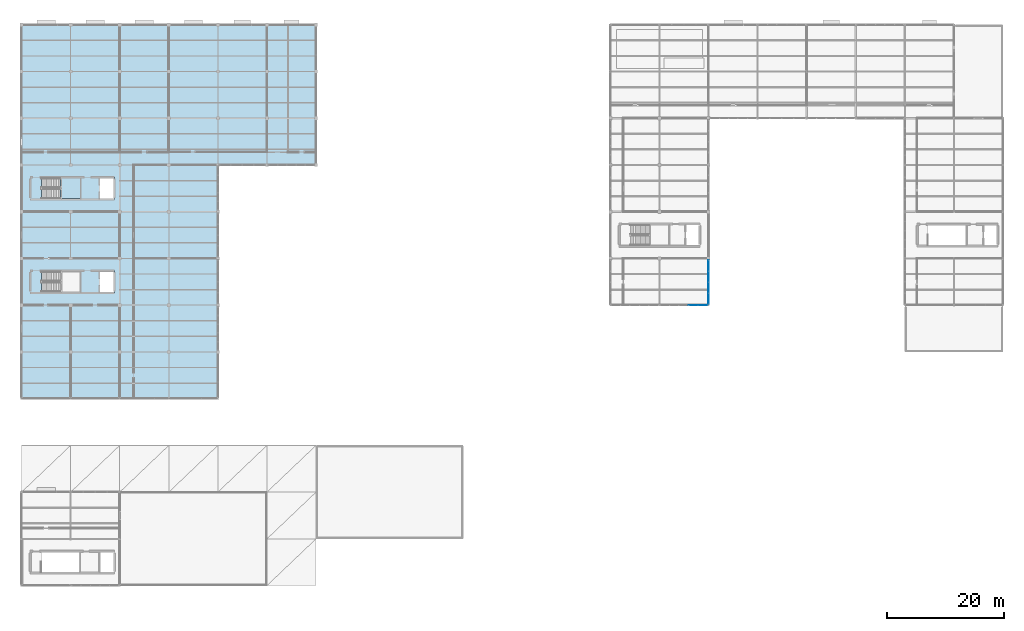
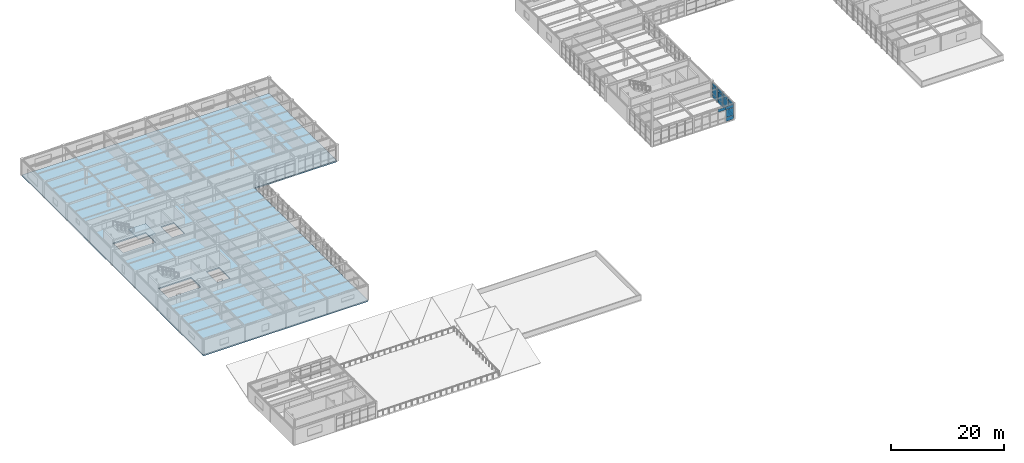
# One storey, part 35 of 53: 16 plates, 2 slabs, 3 elements without a shape of their own.
"""IFC4 building model written with IfcOpenShell, lengths in metres."""

import ifcopenshell
import ifcopenshell.guid

model = None  # the IFC model being written
_history = None  # IfcOwnerHistory: only IFC2X3 demands one
_inside = {}  # id of a spatial element -> (the spatial element, [elements in it])
_under = {}  # id of a project, library or spatial element -> (it, [spatial elements below it])
_declared = {}  # id of a project -> (the project, [libraries it declares])
_typed = {}  # id of a type object -> (the type object, [elements of that type])
_made_of = {}  # id of a material, layer set ... -> (it, [elements and type objects made of it])


def new_model(schema):
    """Start an empty IFC model of exactly this schema.

    Asked for "IFC4X3", IfcOpenShell would pick the latest addendum, in which some entities
    have other attributes; the version numbers below select the first issue.
    IFC2X3 requires an IfcOwnerHistory on every rooted entity: one is made here for all.
    """
    global model, _history
    if schema == "IFC4X3":
        model = ifcopenshell.file(schema_version=(4, 3, 0, 0))
    else:
        model = ifcopenshell.file(schema=schema)
    _inside.clear()
    _under.clear()
    _declared.clear()
    _typed.clear()
    _made_of.clear()
    _history = None
    if model.schema == "IFC2X3":
        org = make("IfcOrganization", Name="unknown")
        user = make(
            "IfcPersonAndOrganization",
            ThePerson=make("IfcPerson", FamilyName="unknown"),
            TheOrganization=org,
        )
        app = make(
            "IfcApplication",
            ApplicationDeveloper=org,
            Version="unknown",
            ApplicationFullName="unknown",
            ApplicationIdentifier="unknown",
        )
        _history = make(
            "IfcOwnerHistory",
            OwningUser=user,
            OwningApplication=app,
            ChangeAction="ADDED",
            CreationDate=0,
        )
    return model


def make(cls, **values):
    """One entity of the class cls with the attributes given. An attribute that is None is left unset."""
    return model.create_entity(
        cls, **{name: value for name, value in values.items() if value is not None}
    )


def rooted(cls, **values):
    """An entity with a GlobalId (a new one), such as an element, a storey or a relation."""
    return make(cls, GlobalId=ifcopenshell.guid.new(), OwnerHistory=_history, **values)


def si_unit(unit_type, name, prefix=None):
    """IfcSIUnit, for example si_unit("LENGTHUNIT", "METRE", prefix="MILLI")."""
    return make("IfcSIUnit", UnitType=unit_type, Prefix=prefix, Name=name)


def assignment(units):
    """IfcUnitAssignment: the units of a project."""
    return None if units is None else make("IfcUnitAssignment", Units=units)


def point(xyz):
    """IfcCartesianPoint."""
    return None if xyz is None else make("IfcCartesianPoint", Coordinates=xyz)


def direction(xyz):
    """IfcDirection."""
    return None if xyz is None else make("IfcDirection", DirectionRatios=xyz)


def frame(location, z_axis=None, x_axis=None):
    """IfcAxis2Placement3D, a coordinate frame: its origin and axes. An axis left out is left unset."""
    return make(
        "IfcAxis2Placement3D",
        Location=point(location),
        Axis=direction(z_axis),
        RefDirection=direction(x_axis),
    )


def frame_2d(location, x_axis=None):
    """IfcAxis2Placement2D, a coordinate frame in the plane: its origin and x axis."""
    return make(
        "IfcAxis2Placement2D", Location=point(location), RefDirection=direction(x_axis)
    )


def origin():
    """The frame at (0, 0, 0) with its axes left unset."""
    return frame((0.0, 0.0, 0.0))


def origin_2d():
    """The frame at (0, 0) in the plane with its x axis left unset."""
    return frame_2d((0.0, 0.0))


def place(relative_to, where):
    """IfcLocalPlacement: puts the frame where relative to a parent placement (None: the world)."""
    return make(
        "IfcLocalPlacement", PlacementRelTo=relative_to, RelativePlacement=where
    )


def context(
    kind, dimensions, precision=None, world=None, true_north=None, identifier=None
):
    """IfcGeometricRepresentationContext, for example the 3D "Model" context."""
    return make(
        "IfcGeometricRepresentationContext",
        ContextIdentifier=identifier,
        ContextType=kind,
        CoordinateSpaceDimension=dimensions,
        Precision=precision,
        WorldCoordinateSystem=world,
        TrueNorth=true_north,
    )


def subcontext(parent, identifier, kind, view, scale=None):
    """IfcGeometricRepresentationSubContext, for example "Body" below "Model"."""
    return make(
        "IfcGeometricRepresentationSubContext",
        ContextIdentifier=identifier,
        ContextType=kind,
        ParentContext=parent,
        TargetScale=scale,
        TargetView=view,
    )


def project(units=None, contexts=None):
    """IfcProject with its units and contexts."""
    return rooted(
        "IfcProject",
        Name="project",
        RepresentationContexts=contexts,
        UnitsInContext=assignment(units),
    )


def spatial(cls, under=None, at=None, **own):
    """A site, building, storey or space (cls), placed at a placement, below another one or the project."""
    s = rooted(cls, ObjectPlacement=at, **own)
    if under is not None:
        _under.setdefault(under.id(), (under, []))[1].append(s)
    return s


def polyline(points):
    """IfcPolyline through the points."""
    return make("IfcPolyline", Points=[point(p) for p in points])


def profile(cls, at=None, kind="AREA", **sizes):
    """A parametric profile (cls). Its sizes go by their IFC names, for example OverallWidth=200.0."""
    return make(cls, ProfileType=kind, Position=at, **sizes)


def rectangle(**sizes):
    """IfcRectangleProfileDef."""
    return profile("IfcRectangleProfileDef", **sizes)


def outline(outer, holes=None, kind="AREA"):
    """IfcArbitraryClosedProfileDef: a profile drawn as a closed curve; with holes, ...WithVoids."""
    if holes is None:
        return make("IfcArbitraryClosedProfileDef", ProfileType=kind, OuterCurve=outer)
    return make(
        "IfcArbitraryProfileDefWithVoids",
        ProfileType=kind,
        OuterCurve=outer,
        InnerCurves=holes,
    )


def extrude(swept, where, along, depth):
    """IfcExtrudedAreaSolid: the profile swept, set in the frame where, extruded along a direction by depth."""
    return make(
        "IfcExtrudedAreaSolid",
        SweptArea=swept,
        Position=where,
        ExtrudedDirection=direction(along),
        Depth=depth,
    )


def shape(context_of_items, identifier, shape_type, items):
    """IfcShapeRepresentation: the items that make up one representation, for example the "Body"."""
    return make(
        "IfcShapeRepresentation",
        ContextOfItems=context_of_items,
        RepresentationIdentifier=identifier,
        RepresentationType=shape_type,
        Items=items,
    )


def material(Name=None, Category=None):
    """IfcMaterial."""
    return make("IfcMaterial", Name=Name, Category=Category)


def layer(
    of_material, thickness, ventilated=None, Name=None, Category=None, Priority=None
):
    """IfcMaterialLayer: one layer of a wall or slab, of a material (None: an air gap)."""
    return make(
        "IfcMaterialLayer",
        Material=of_material,
        LayerThickness=thickness,
        IsVentilated=ventilated,
        Name=Name,
        Category=Category,
        Priority=Priority,
    )


def layer_set(layers, Name=None):
    """IfcMaterialLayerSet."""
    return make("IfcMaterialLayerSet", MaterialLayers=layers, LayerSetName=Name)


def made_of(thing, what):
    """Note that an element or type object is made of a material, layer set ...; save() writes the relation."""
    if what is not None:
        _made_of.setdefault(what.id(), (what, []))[1].append(thing)
    return thing


def type_object(cls, material=None, **own):
    """A type object (cls), such as IfcWallType, which elements share."""
    return made_of(rooted(cls, **own), material)


def element(
    cls,
    number,
    at=None,
    inside=None,
    cuts=None,
    type_object=None,
    material=None,
    context=None,
    identifier="Body",
    shape_type=None,
    held_by="IfcProductDefinitionShape",
    body=None,
    shapes=None,
    **own,
):
    """One element of the class cls, such as IfcWall. Its Tag is "e" and its number.

    at: its placement. inside: the storey or other place that contains it. cuts: it is an
    opening in that element (IfcRelVoidsElement). A single representation is given by context,
    identifier, shape_type and body (its items); several are given by shapes. held_by: the class
    of the entity that holds the representations. save() writes the other relations.
    """
    e = rooted(cls, Tag="e%d" % number, ObjectPlacement=at, **own)
    if body is not None:
        shapes = [shape(context, identifier, shape_type, body)]
    if shapes is not None:
        e.Representation = make(held_by, Representations=shapes)
    if inside is not None:
        _inside.setdefault(inside.id(), (inside, []))[1].append(e)
    if cuts is not None:
        rooted(
            "IfcRelVoidsElement", RelatingBuildingElement=cuts, RelatedOpeningElement=e
        )
    if type_object is not None:
        _typed.setdefault(type_object.id(), (type_object, []))[1].append(e)
    return made_of(e, material)


def aggregate(whole, parts):
    """IfcRelAggregates: a whole, such as a stair, and the parts it consists of."""
    return rooted("IfcRelAggregates", RelatingObject=whole, RelatedObjects=parts)


def save(model, path):
    """Write the relations noted so far, then the file.

    IfcRelAggregates (storeys below a building ...), IfcRelContainedInSpatialStructure (elements
    in a storey), IfcRelDefinesByType, IfcRelAssociatesMaterial and IfcRelDeclares: one each for
    every whole, place, type object, material and project.
    """
    for whole, parts in _under.values():
        aggregate(whole, parts)
    for where, things in _inside.values():
        rooted(
            "IfcRelContainedInSpatialStructure",
            RelatedElements=things,
            RelatingStructure=where,
        )
    for kind, things in _typed.values():
        rooted("IfcRelDefinesByType", RelatedObjects=things, RelatingType=kind)
    for what, things in _made_of.values():
        rooted("IfcRelAssociatesMaterial", RelatedObjects=things, RelatingMaterial=what)
    for by, libraries in _declared.values():
        rooted("IfcRelDeclares", RelatingContext=by, RelatedDefinitions=libraries)
    model.write(path)


model = new_model("IFC4")

# Units and contexts
model_context = context("Model", 3, precision=1e-05, world=origin(), true_north=direction((0.0, 1.0)))
body_context = subcontext(model_context, "Body", "Model", "MODEL_VIEW")
ifc_project = project(units=[si_unit("LENGTHUNIT", "METRE"), si_unit("AREAUNIT", "SQUARE_METRE"), si_unit("VOLUMEUNIT", "CUBIC_METRE"), si_unit("PLANEANGLEUNIT", "RADIAN"), si_unit("MASSUNIT", "GRAM", prefix="KILO")], contexts=[model_context])

# Site, building, storey
site_placement = place(None, origin())
site = spatial("IfcSite", under=ifc_project, at=site_placement, CompositionType="ELEMENT")
building_placement = place(site_placement, origin())
building = spatial("IfcBuilding", under=site, at=building_placement, Name="Kranzveld Transit Interchange", CompositionType="ELEMENT")
storey_placement = place(building_placement, frame((0.0, 0.0, 13.360107421875)))
storey = spatial("IfcBuildingStorey", under=building, at=storey_placement, Name="L03", CompositionType="ELEMENT", Elevation=13.360107421875)

# Slab
ifc_material_1 = material(Name="Concrete C35/45", Category="concrete")
ifc_layer_1 = layer(ifc_material_1, 0.27001953125)
ifc_layer_set_1 = layer_set([ifc_layer_1], Name="Concrete C35/45")
slab_type_1 = type_object("IfcSlabType", Name="Composite Floor Slab 270 C35/45", PredefinedType="FLOOR", material=ifc_layer_set_1)
slab_1_placement = place(storey_placement, frame((0.0, 0.0, -0.27001953125)))
element("IfcSlab", 1, at=slab_1_placement, inside=storey, type_object=slab_type_1, Name="L03 Suspended Floor Slab 2", PredefinedType="FLOOR", context=body_context, shape_type="SweptSolid", body=[
    extrude(outline(polyline([(50.39990234375, 112.0), (50.39990234375, 88.0), (33.60009765625, 88.0), (33.60009765625, 48.0), (0.0, 48.0), (0.0, 112.0), (33.60009765625, 112.0), (50.39990234375, 112.0)]), holes=[polyline([(10.050048828125, 69.72998046875), (3.41796875, 69.72998046875), (3.41796875, 66.27001953125), (10.050048828125, 66.27001953125), (10.050048828125, 69.72998046875)]), polyline([(15.89990234375, 69.909912109375), (13.300048828125, 69.909912109375), (13.300048828125, 66.090087890625), (15.89990234375, 66.090087890625), (15.89990234375, 69.909912109375)]), polyline([(10.050048828125, 82.27001953125), (10.050048828125, 85.72998046875), (3.41796875, 85.72998046875), (3.41796875, 82.27001953125), (10.050048828125, 82.27001953125)]), polyline([(15.89990234375, 85.909912109375), (13.300048828125, 85.909912109375), (13.300048828125, 82.090087890625), (15.89990234375, 82.090087890625), (15.89990234375, 85.909912109375)])]), origin(), (0.0, 0.0, 1.0), 0.27001953125),
])

# Curtain wall, plates
ifc_material_2 = material(Name="Bronze-anodised thermally broken aluminium", Category="aluminium")
ifc_layer_2 = layer(ifc_material_2, 0.159912109375)
ifc_layer_set_2 = layer_set([ifc_layer_2], Name="Bronze-anodised thermally broken aluminium")
curtain_wall_type_1 = type_object("IfcCurtainWallType", Name="Bus Boarding Glazed Screen CW-3", PredefinedType="USERDEFINED", material=ifc_layer_set_2)
curtain_wall_1_placement = place(storey_placement, origin())
curtain_wall_1 = element("IfcCurtainWall", 2, at=curtain_wall_1_placement, inside=storey, type_object=curtain_wall_type_1, Name="L03 Curtain Wall 15/J-15/K", ObjectType="CURTAIN WALL", PredefinedType="USERDEFINED")
ifc_material_3 = material(Name="Solar-control double glazing", Category="glass")
ifc_layer_3 = layer(ifc_material_3, 0.031982421875)
ifc_layer_set_3 = layer_set([ifc_layer_3], Name="Solar-control double glazing")
plate_type_1 = type_object("IfcPlateType", Name="Curtain Panel Acoustic Glazing 32", PredefinedType="CURTAIN_PANEL", material=ifc_layer_set_3)
plate_1_placement = place(storey_placement, frame((117.60009765625, 65.094482421875, 0.059814453125), z_axis=(0.0, 0.0, 1.0), x_axis=(0.0, 1.0, 0.0)))
plate_1 = element("IfcPlate", 3, at=plate_1_placement, type_object=plate_type_1, Name="CW-3 panel 1.1", PredefinedType="CURTAIN_PANEL", context=body_context, shape_type="SweptSolid", body=[
    extrude(rectangle(XDim=1.808837890625, YDim=0.031982421875, at=origin_2d()), origin(), (0.0, 0.0, 1.0), 0.81005859375),
])
plate_2_placement = place(storey_placement, frame((117.60009765625, 65.094482421875, 0.929931640625), z_axis=(0.0, 0.0, 1.0), x_axis=(0.0, 1.0, 0.0)))
plate_2 = element("IfcPlate", 4, at=plate_2_placement, type_object=plate_type_1, Name="CW-3 panel 1.2", PredefinedType="CURTAIN_PANEL", context=body_context, shape_type="SweptSolid", body=[
    extrude(rectangle(XDim=1.808837890625, YDim=0.031982421875, at=origin_2d()), origin(), (0.0, 0.0, 1.0), 1.6201171875),
])
plate_3_placement = place(storey_placement, frame((117.60009765625, 65.094482421875, 2.60986328125), z_axis=(0.0, 0.0, 1.0), x_axis=(0.0, 1.0, 0.0)))
plate_3 = element("IfcPlate", 5, at=plate_3_placement, type_object=plate_type_1, Name="CW-3 panel 1.3", PredefinedType="CURTAIN_PANEL", context=body_context, shape_type="SweptSolid", body=[
    extrude(rectangle(XDim=1.808837890625, YDim=0.031982421875, at=origin_2d()), origin(), (0.0, 0.0, 1.0), 0.610107421875),
])
plate_4_placement = place(storey_placement, frame((117.60009765625, 66.978271484375, 0.059814453125), z_axis=(0.0, 0.0, 1.0), x_axis=(0.0, 1.0, 0.0)))
plate_4 = element("IfcPlate", 6, at=plate_4_placement, type_object=plate_type_1, Name="CW-3 panel 2.1", PredefinedType="CURTAIN_PANEL", context=body_context, shape_type="SweptSolid", body=[
    extrude(rectangle(XDim=1.838623046875, YDim=0.031982421875, at=origin_2d()), origin(), (0.0, 0.0, 1.0), 0.81005859375),
])
plate_5_placement = place(storey_placement, frame((117.60009765625, 66.978271484375, 0.929931640625), z_axis=(0.0, 0.0, 1.0), x_axis=(0.0, 1.0, 0.0)))
plate_5 = element("IfcPlate", 7, at=plate_5_placement, type_object=plate_type_1, Name="CW-3 panel 2.2", PredefinedType="CURTAIN_PANEL", context=body_context, shape_type="SweptSolid", body=[
    extrude(rectangle(XDim=1.838623046875, YDim=0.031982421875, at=origin_2d()), origin(), (0.0, 0.0, 1.0), 1.6201171875),
])
plate_6_placement = place(storey_placement, frame((117.60009765625, 66.978271484375, 2.60986328125), z_axis=(0.0, 0.0, 1.0), x_axis=(0.0, 1.0, 0.0)))
plate_6 = element("IfcPlate", 8, at=plate_6_placement, type_object=plate_type_1, Name="CW-3 panel 2.3", PredefinedType="CURTAIN_PANEL", context=body_context, shape_type="SweptSolid", body=[
    extrude(rectangle(XDim=1.838623046875, YDim=0.031982421875, at=origin_2d()), origin(), (0.0, 0.0, 1.0), 0.610107421875),
])
plate_7_placement = place(storey_placement, frame((117.60009765625, 68.876953125, 0.059814453125), z_axis=(0.0, 0.0, 1.0), x_axis=(0.0, 1.0, 0.0)))
plate_7 = element("IfcPlate", 9, at=plate_7_placement, type_object=plate_type_1, Name="CW-3 panel 3.1", PredefinedType="CURTAIN_PANEL", context=body_context, shape_type="SweptSolid", body=[
    extrude(rectangle(XDim=1.838623046875, YDim=0.031982421875, at=origin_2d()), origin(), (0.0, 0.0, 1.0), 0.81005859375),
])
plate_8_placement = place(storey_placement, frame((117.60009765625, 68.876953125, 0.929931640625), z_axis=(0.0, 0.0, 1.0), x_axis=(0.0, 1.0, 0.0)))
plate_8 = element("IfcPlate", 10, at=plate_8_placement, type_object=plate_type_1, Name="CW-3 panel 3.2", PredefinedType="CURTAIN_PANEL", context=body_context, shape_type="SweptSolid", body=[
    extrude(rectangle(XDim=1.838623046875, YDim=0.031982421875, at=origin_2d()), origin(), (0.0, 0.0, 1.0), 1.6201171875),
])
plate_9_placement = place(storey_placement, frame((117.60009765625, 68.876953125, 2.60986328125), z_axis=(0.0, 0.0, 1.0), x_axis=(0.0, 1.0, 0.0)))
plate_9 = element("IfcPlate", 11, at=plate_9_placement, type_object=plate_type_1, Name="CW-3 panel 3.3", PredefinedType="CURTAIN_PANEL", context=body_context, shape_type="SweptSolid", body=[
    extrude(rectangle(XDim=1.838623046875, YDim=0.031982421875, at=origin_2d()), origin(), (0.0, 0.0, 1.0), 0.610107421875),
])
plate_10_placement = place(storey_placement, frame((117.60009765625, 70.7607421875, 0.059814453125), z_axis=(0.0, 0.0, 1.0), x_axis=(0.0, 1.0, 0.0)))
plate_10 = element("IfcPlate", 12, at=plate_10_placement, type_object=plate_type_1, Name="CW-3 panel 4.1", PredefinedType="CURTAIN_PANEL", context=body_context, shape_type="SweptSolid", body=[
    extrude(rectangle(XDim=1.808837890625, YDim=0.031982421875, at=origin_2d()), origin(), (0.0, 0.0, 1.0), 0.81005859375),
])
plate_11_placement = place(storey_placement, frame((117.60009765625, 70.7607421875, 0.929931640625), z_axis=(0.0, 0.0, 1.0), x_axis=(0.0, 1.0, 0.0)))
plate_11 = element("IfcPlate", 13, at=plate_11_placement, type_object=plate_type_1, Name="CW-3 panel 4.2", PredefinedType="CURTAIN_PANEL", context=body_context, shape_type="SweptSolid", body=[
    extrude(rectangle(XDim=1.808837890625, YDim=0.031982421875, at=origin_2d()), origin(), (0.0, 0.0, 1.0), 1.6201171875),
])
plate_12_placement = place(storey_placement, frame((117.60009765625, 70.7607421875, 2.60986328125), z_axis=(0.0, 0.0, 1.0), x_axis=(0.0, 1.0, 0.0)))
plate_12 = element("IfcPlate", 14, at=plate_12_placement, type_object=plate_type_1, Name="CW-3 panel 4.3", PredefinedType="CURTAIN_PANEL", context=body_context, shape_type="SweptSolid", body=[
    extrude(rectangle(XDim=1.808837890625, YDim=0.031982421875, at=origin_2d()), origin(), (0.0, 0.0, 1.0), 0.610107421875),
])
aggregate(curtain_wall_1, [plate_1, plate_2, plate_3, plate_4, plate_5, plate_6, plate_7, plate_8, plate_9, plate_10, plate_11, plate_12])

ifc_material_4 = material(Name="Bronze-anodised thermally broken aluminium", Category="aluminium")
ifc_layer_4 = layer(ifc_material_4, 0.1650390625)
ifc_layer_set_4 = layer_set([ifc_layer_4], Name="Bronze-anodised thermally broken aluminium")
curtain_wall_type_2 = type_object("IfcCurtainWallType", Name="Sunny Court Arcade Curtain Wall CW-2", PredefinedType="USERDEFINED", material=ifc_layer_set_4)
curtain_wall_2_placement = place(storey_placement, origin())
curtain_wall_2 = element("IfcCurtainWall", 15, at=curtain_wall_2_placement, inside=storey, type_object=curtain_wall_type_2, Name="L03 Curtain Wall 14/J-15/J", ObjectType="CURTAIN WALL", PredefinedType="USERDEFINED")
ifc_material_5 = material(Name="Pretoria red-purple clinker clay face brick, 35 MPa", Category="masonry")
ifc_layer_5 = layer(ifc_material_5, 0.050048828125)
ifc_layer_set_5 = layer_set([ifc_layer_5], Name="Pretoria red-purple clinker clay face brick, 35 MPa")
plate_type_2 = type_object("IfcPlateType", Name="Curtain Spandrel Clinker Tile 50", PredefinedType="CURTAIN_PANEL", material=ifc_layer_set_5)
plate_13_placement = place(storey_placement, frame((115.02880859375, 64.0, 2.60986328125), z_axis=(0.0, 0.0, 1.0), x_axis=(1.0, 0.0, 0.0)))
plate_13 = element("IfcPlate", 16, at=plate_13_placement, type_object=plate_type_2, Name="CW-2 panel 4.3", PredefinedType="CURTAIN_PANEL", context=body_context, shape_type="SweptSolid", body=[
    extrude(rectangle(XDim=1.563720703125, YDim=0.050048828125, at=origin_2d()), origin(), (0.0, 0.0, 1.0), 0.610107421875),
])
plate_14_placement = place(storey_placement, frame((116.641357421875, 64.0, 0.059814453125), z_axis=(0.0, 0.0, 1.0), x_axis=(1.0, 0.0, 0.0)))
plate_14 = element("IfcPlate", 17, at=plate_14_placement, type_object=plate_type_2, Name="CW-2 panel 5.1", PredefinedType="CURTAIN_PANEL", context=body_context, shape_type="SweptSolid", body=[
    extrude(rectangle(XDim=1.53125, YDim=0.050048828125, at=origin_2d()), origin(), (0.0, 0.0, 1.0), 0.81005859375),
])
plate_15_placement = place(storey_placement, frame((116.641357421875, 64.0, 0.929931640625), z_axis=(0.0, 0.0, 1.0), x_axis=(1.0, 0.0, 0.0)))
plate_15 = element("IfcPlate", 18, at=plate_15_placement, type_object=plate_type_2, Name="CW-2 panel 5.2", PredefinedType="CURTAIN_PANEL", context=body_context, shape_type="SweptSolid", body=[
    extrude(rectangle(XDim=1.53125, YDim=0.050048828125, at=origin_2d()), origin(), (0.0, 0.0, 1.0), 1.6201171875),
])
plate_16_placement = place(storey_placement, frame((116.641357421875, 64.0, 2.60986328125), z_axis=(0.0, 0.0, 1.0), x_axis=(1.0, 0.0, 0.0)))
plate_16 = element("IfcPlate", 19, at=plate_16_placement, type_object=plate_type_2, Name="CW-2 panel 5.3", PredefinedType="CURTAIN_PANEL", context=body_context, shape_type="SweptSolid", body=[
    extrude(rectangle(XDim=1.53125, YDim=0.050048828125, at=origin_2d()), origin(), (0.0, 0.0, 1.0), 0.610107421875),
])
aggregate(curtain_wall_2, [plate_13, plate_14, plate_15, plate_16])

# Stair, slab
ifc_material_6 = material(Name="Concrete C35/45", Category="concrete")
stair_type = type_object("IfcStairType", Name="Dogleg Stair 1650W H3840 C35/45", PredefinedType="HALF_TURN_STAIR", material=ifc_material_6)
stair_placement = place(storey_placement, origin())
stair = element("IfcStair", 20, at=stair_placement, inside=storey, type_object=stair_type, Name="L03 Operations Core C2", PredefinedType="HALF_TURN_STAIR")
ifc_material_7 = material(Name="Concrete C35/45", Category="concrete")
ifc_layer_6 = layer(ifc_material_7, 0.199951171875)
ifc_layer_set_6 = layer_set([ifc_layer_6], Name="Concrete C35/45")
slab_type_2 = type_object("IfcSlabType", Name="Stair & Ramp Landing 200 C35/45", PredefinedType="LANDING", material=ifc_layer_set_6)
slab_2_placement = place(storey_placement, frame((0.0, 0.0, 1.719970703125)))
slab_2 = element("IfcSlab", 21, at=slab_2_placement, type_object=slab_type_2, Name="ST-C2 landing 1", PredefinedType="LANDING", context=body_context, shape_type="SweptSolid", body=[
    extrude(outline(polyline([(6.590087890625, 82.235107421875), (10.050048828125, 82.235107421875), (10.050048828125, 85.764892578125), (6.590087890625, 85.764892578125), (6.590087890625, 82.235107421875)])), origin(), (0.0, 0.0, 1.0), 0.199951171875),
])
aggregate(stair, [slab_2])

save(model, "model.ifc")
